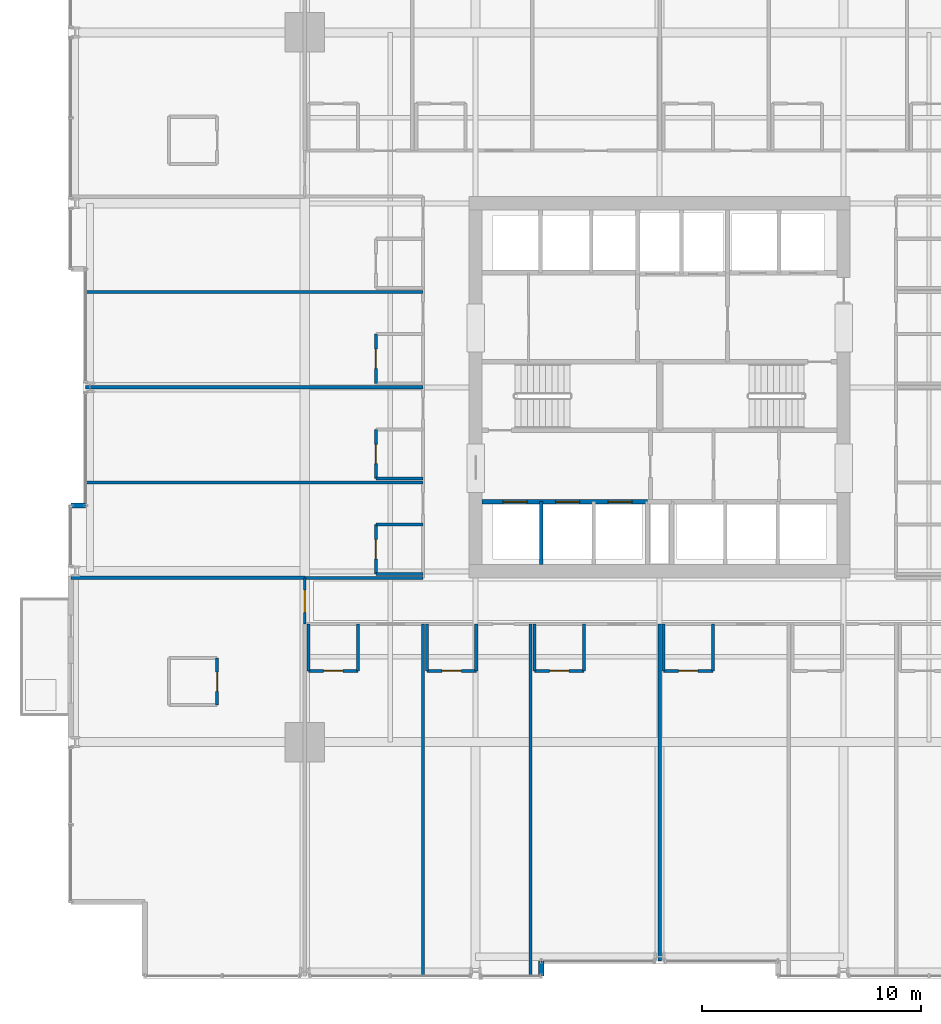
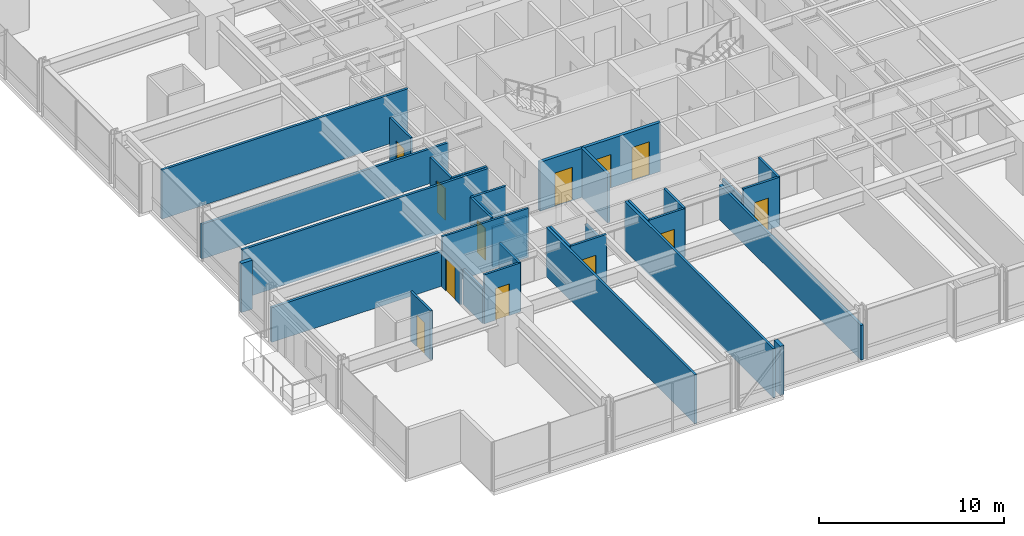
# One storey, part 31 of 42: 32 walls, 12 doors, 12 openings.
"""IFC4 building model written with IfcOpenShell, lengths in metres."""

from ifc_helpers import new_model, si_unit, direction, frame, frame_2d, origin, place, context, subcontext, project, spatial, rectangle, extrude, material, layer, layer_set, type_object, element, fill, save


model = new_model("IFC4")

# Units and contexts
model_context = context("Model", 3, precision=1e-05, world=origin(), true_north=direction((0.0, 1.0)))
body_context = subcontext(model_context, "Body", "Model", "MODEL_VIEW")
ifc_project = project(units=[si_unit("LENGTHUNIT", "METRE"), si_unit("AREAUNIT", "SQUARE_METRE"), si_unit("VOLUMEUNIT", "CUBIC_METRE"), si_unit("PLANEANGLEUNIT", "RADIAN"), si_unit("MASSUNIT", "GRAM", prefix="KILO")], contexts=[model_context])

# Site, building, storey
site_placement = place(None, origin())
site = spatial("IfcSite", under=ifc_project, at=site_placement, CompositionType="ELEMENT")
building_placement = place(site_placement, origin())
building = spatial("IfcBuilding", under=site, at=building_placement, Name="Drelvath Grand Hotel", CompositionType="ELEMENT")
storey_placement = place(building_placement, frame((0.0, 0.0, 33.199951171875)))
storey = spatial("IfcBuildingStorey", under=building, at=storey_placement, Name="L06", CompositionType="ELEMENT", Elevation=33.199951171875)

# Wall, openings, doors
ifc_material_1 = material(Name="Concrete C40/50", Category="concrete")
ifc_layer_1 = layer(ifc_material_1, 0.199951171875)
ifc_layer_set_1 = layer_set([ifc_layer_1], Name="Concrete C40/50")
wall_type_1 = type_object("IfcWallType", Name="Core Hoistway Fire Wall 200", PredefinedType="SOLIDWALL", material=ifc_layer_set_1)
wall_1_placement = place(storey_placement, frame((-0.550048828125, 21.780029296875, 0.0), z_axis=(0.0, 0.0, 1.0), x_axis=(-1.0, 0.0, 0.0)))
wall_1 = element("IfcWall", 1, at=wall_1_placement, inside=storey, type_object=wall_type_1, Name="L06 Bank 1 Hoistway Wall", PredefinedType="SOLIDWALL", context=body_context, shape_type="SweptSolid", body=[
    extrude(rectangle(XDim=7.550048828125, YDim=0.199951171875, at=frame_2d((3.77490234375, 0.0))), origin(), (0.0, 0.0, 1.0), 3.239990234375),
])
opening_1_placement = place(wall_1_placement, frame((5.5, 0.0, 0.0)))
opening_1 = element("IfcOpeningElement", 2, at=opening_1_placement, cuts=wall_1, Name="Opening LD-PE-1", PredefinedType="OPENING", context=body_context, shape_type="SweptSolid", body=[
    extrude(rectangle(XDim=1.10009765625, YDim=2.199951171875, at=frame_2d((0.550048828125, 1.10009765625))), frame((0.0, 0.10986328125, 0.0), z_axis=(0.0, -1.0, 0.0), x_axis=(1.0, 0.0, 0.0)), (0.0, 0.0, 1.0), 0.219970703125),
])
opening_2_placement = place(wall_1_placement, frame((3.10009765625, 0.0, 0.0)))
opening_2 = element("IfcOpeningElement", 3, at=opening_2_placement, cuts=wall_1, Name="Opening LD-PE-2", PredefinedType="OPENING", context=body_context, shape_type="SweptSolid", body=[
    extrude(rectangle(XDim=1.10009765625, YDim=2.199951171875, at=frame_2d((0.550048828125, 1.10009765625))), frame((0.0, 0.10986328125, 0.0), z_axis=(0.0, -1.0, 0.0), x_axis=(1.0, 0.0, 0.0)), (0.0, 0.0, 1.0), 0.219970703125),
])
opening_3_placement = place(wall_1_placement, frame((0.699951171875, 0.0, 0.0)))
opening_3 = element("IfcOpeningElement", 4, at=opening_3_placement, cuts=wall_1, Name="Opening LD-PE-3", PredefinedType="OPENING", context=body_context, shape_type="SweptSolid", body=[
    extrude(rectangle(XDim=1.10009765625, YDim=2.199951171875, at=frame_2d((0.550048828125, 1.10009765625))), frame((0.0, 0.10986328125, 0.0), z_axis=(0.0, -1.0, 0.0), x_axis=(1.0, 0.0, 0.0)), (0.0, 0.0, 1.0), 0.219970703125),
])
ifc_material_2 = material(Name="Stainless Steel S355", Category="steel")
door_type_1 = type_object("IfcDoorType", Name="Passenger Lift Sliding Landing Door 1100x2200", OperationType="NOTDEFINED", PredefinedType="DOOR", material=ifc_material_2)
door_1_placement = place(opening_1_placement, origin())
door_1 = element("IfcDoor", 5, at=door_1_placement, inside=storey, type_object=door_type_1, Name="L06 Lift PE-1 Landing Door", OperationType="SLIDING_TO_LEFT", OverallHeight=2.199951171875, OverallWidth=1.10009765625, PredefinedType="DOOR", context=body_context, shape_type="SweptSolid", body=[
    extrude(rectangle(XDim=1.10009765625, YDim=2.199951171875, at=frame_2d((0.550048828125, 1.10009765625))), frame((0.0, 0.02490234375, 0.0), z_axis=(0.0, -1.0, 0.0), x_axis=(1.0, 0.0, 0.0)), (0.0, 0.0, 1.0), 0.050048828125),
])
fill(opening_1, door_1)
door_2_placement = place(opening_2_placement, origin())
door_2 = element("IfcDoor", 6, at=door_2_placement, inside=storey, type_object=door_type_1, Name="L06 Lift PE-2 Landing Door", OperationType="SLIDING_TO_LEFT", OverallHeight=2.199951171875, OverallWidth=1.10009765625, PredefinedType="DOOR", context=body_context, shape_type="SweptSolid", body=[
    extrude(rectangle(XDim=1.10009765625, YDim=2.199951171875, at=frame_2d((0.550048828125, 1.10009765625))), frame((0.0, 0.02490234375, 0.0), z_axis=(0.0, -1.0, 0.0), x_axis=(1.0, 0.0, 0.0)), (0.0, 0.0, 1.0), 0.050048828125),
])
fill(opening_2, door_2)
door_3_placement = place(opening_3_placement, origin())
door_3 = element("IfcDoor", 7, at=door_3_placement, inside=storey, type_object=door_type_1, Name="L06 Lift PE-3 Landing Door", OperationType="SLIDING_TO_LEFT", OverallHeight=2.199951171875, OverallWidth=1.10009765625, PredefinedType="DOOR", context=body_context, shape_type="SweptSolid", body=[
    extrude(rectangle(XDim=1.10009765625, YDim=2.199951171875, at=frame_2d((0.550048828125, 1.10009765625))), frame((0.0, 0.02490234375, 0.0), z_axis=(0.0, -1.0, 0.0), x_axis=(1.0, 0.0, 0.0)), (0.0, 0.0, 1.0), 0.050048828125),
])
fill(opening_3, door_3)

# Walls
ifc_material_3 = material(Name="Gypsum Fireboard Partition")
ifc_layer_2 = layer(ifc_material_3, 0.1650390625)
ifc_layer_set_2 = layer_set([ifc_layer_2], Name="Gypsum Fireboard Partition")
wall_type_2 = type_object("IfcWallType", Name="Core Shaft Partition 165", PredefinedType="PARTITIONING", material=ifc_layer_set_2)
wall_2_placement = place(storey_placement, frame((-5.39990234375, 18.89990234375, 0.0), z_axis=(0.0, 0.0, 1.0), x_axis=(0.0, 1.0, 0.0)))
element("IfcWall", 8, at=wall_2_placement, inside=storey, type_object=wall_type_2, Name="L06 Lift PE-1/2 Divider", PredefinedType="PARTITIONING", context=body_context, shape_type="SweptSolid", body=[
    extrude(rectangle(XDim=2.880126953125, YDim=0.1650390625, at=frame_2d((1.43994140625, 0.0))), origin(), (0.0, 0.0, 1.0), 3.239990234375),
])
ifc_layer_3 = layer(ifc_material_3, 0.135009765625)
ifc_layer_set_3 = layer_set([ifc_layer_3], Name="Gypsum Fireboard Partition")
wall_type_3 = type_object("IfcWallType", Name="Corridor Fire Barrier Wall 135", PredefinedType="PARTITIONING", material=ifc_layer_set_3)
wall_3_placement = place(storey_placement, frame((-16.199951171875, 18.300048828125, 0.0), z_axis=(0.0, 0.0, 1.0), x_axis=(1.0, 0.0, 0.0)))
element("IfcWall", 9, at=wall_3_placement, inside=storey, type_object=wall_type_3, Name="L06 SW Spur Inner Wall", PredefinedType="PARTITIONING", context=body_context, shape_type="SweptSolid", body=[
    extrude(rectangle(XDim=5.39990234375, YDim=0.135009765625, at=frame_2d((2.699951171875, 0.0))), origin(), (0.0, 0.0, 1.0), 3.239990234375),
])

# Wall, opening, door
wall_4_placement = place(storey_placement, frame((-16.199951171875, 16.199951171875, 0.0), z_axis=(0.0, 0.0, 1.0), x_axis=(0.0, 1.0, 0.0)))
wall_4 = element("IfcWall", 10, at=wall_4_placement, inside=storey, type_object=wall_type_3, Name="L06 South Corridor West End", PredefinedType="PARTITIONING", context=body_context, shape_type="SweptSolid", body=[
    extrude(rectangle(XDim=2.10009765625, YDim=0.135009765625, at=frame_2d((1.050048828125, 0.0))), origin(), (0.0, 0.0, 1.0), 2.29833984375),
])
opening_4_placement = place(wall_4_placement, frame((0.52001953125, 0.0, 0.0)))
opening_4 = element("IfcOpeningElement", 11, at=opening_4_placement, cuts=wall_4, Name="Opening D-T1G1-019", PredefinedType="OPENING", context=body_context, shape_type="SweptSolid", body=[
    extrude(rectangle(XDim=1.02001953125, YDim=2.14990234375, at=frame_2d((0.510009765625, 1.074951171875))), frame((0.0, 0.077392578125, 0.0), z_axis=(0.0, -1.0, 0.0), x_axis=(1.0, 0.0, 0.0)), (0.0, 0.0, 1.0), 0.155029296875),
])
ifc_material_4 = material(Name="Hardwood Walnut Timber", Category="wood")
door_type_2 = type_object("IfcDoorType", Name="Amenity Meeting Fire Door 1020x2150", OperationType="NOTDEFINED", PredefinedType="DOOR", material=ifc_material_4)
door_4_placement = place(opening_4_placement, origin())
door_4 = element("IfcDoor", 12, at=door_4_placement, inside=storey, type_object=door_type_2, Name="L06 Corner Suite Entry Door", OperationType="SINGLE_SWING_RIGHT", OverallHeight=2.14990234375, OverallWidth=1.02001953125, PredefinedType="DOOR", context=body_context, shape_type="SweptSolid", body=[
    extrude(rectangle(XDim=1.02001953125, YDim=2.14990234375, at=frame_2d((0.510009765625, 1.074951171875))), frame((0.0, 0.02490234375, 0.0), z_axis=(0.0, -1.0, 0.0), x_axis=(1.0, 0.0, 0.0)), (0.0, 0.0, 1.0), 0.050048828125),
])
fill(opening_4, door_4)

ifc_material_5 = material(Name="Moisture-Resistant Gypsum Board")
ifc_layer_4 = layer(ifc_material_5, 0.139892578125)
ifc_layer_set_4 = layer_set([ifc_layer_4], Name="Moisture-Resistant Gypsum Board")
wall_type_4 = type_object("IfcWallType", Name="En-Suite Plumbing Wall 140", PredefinedType="PLUMBINGWALL", material=ifc_layer_set_4)
wall_5_placement = place(storey_placement, frame((-20.199951171875, 12.5, 0.0), z_axis=(0.0, 0.0, 1.0), x_axis=(0.0, 1.0, 0.0)))
wall_5 = element("IfcWall", 13, at=wall_5_placement, inside=storey, type_object=wall_type_4, Name="L06 Corner En-Suite East", PredefinedType="PLUMBINGWALL", context=body_context, shape_type="SweptSolid", body=[
    extrude(rectangle(XDim=2.14990234375, YDim=0.139892578125, at=frame_2d((1.074951171875, 0.0))), origin(), (0.0, 0.0, 1.0), 3.239990234375),
])
opening_5_placement = place(wall_5_placement, frame((0.6201171875, 0.0, 0.0)))
opening_5 = element("IfcOpeningElement", 14, at=opening_5_placement, cuts=wall_5, Name="Opening D-T1G1-018", PredefinedType="OPENING", context=body_context, shape_type="SweptSolid", body=[
    extrude(rectangle(XDim=0.8798828125, YDim=2.10009765625, at=frame_2d((0.43994140625, 1.050048828125))), frame((0.0, 0.079833984375, 0.0), z_axis=(0.0, -1.0, 0.0), x_axis=(1.0, 0.0, 0.0)), (0.0, 0.0, 1.0), 0.159912109375),
])
door_type_3 = type_object("IfcDoorType", Name="En-Suite Bathroom Door 880x2100", OperationType="NOTDEFINED", PredefinedType="DOOR", material=ifc_material_4)
door_5_placement = place(opening_5_placement, origin())
door_5 = element("IfcDoor", 15, at=door_5_placement, inside=storey, type_object=door_type_3, Name="L06 Corner En-Suite Door", OperationType="SINGLE_SWING_LEFT", OverallHeight=2.10009765625, OverallWidth=0.8798828125, PredefinedType="DOOR", context=body_context, shape_type="SweptSolid", body=[
    extrude(rectangle(XDim=0.8798828125, YDim=2.10009765625, at=frame_2d((0.43994140625, 1.050048828125))), frame((0.0, 0.02490234375, 0.0), z_axis=(0.0, -1.0, 0.0), x_axis=(1.0, 0.0, 0.0)), (0.0, 0.0, 1.0), 0.050048828125),
])
fill(opening_5, door_5)

# Walls
wall_6_placement = place(storey_placement, frame((-16.02001953125, 16.199951171875, 0.0), z_axis=(0.0, 0.0, 1.0), x_axis=(0.0, -1.0, 0.0)))
element("IfcWall", 16, at=wall_6_placement, inside=storey, type_object=wall_type_4, Name="L06 En-Suite Left Wall", PredefinedType="PLUMBINGWALL", context=body_context, shape_type="SweptSolid", body=[
    extrude(rectangle(XDim=2.14990234375, YDim=0.139892578125, at=frame_2d((1.074951171875, 0.0))), origin(), (0.0, 0.0, 1.0), 2.29833984375),
])
wall_7_placement = place(storey_placement, frame((-13.77001953125, 16.199951171875, 0.0), z_axis=(0.0, 0.0, 1.0), x_axis=(0.0, -1.0, 0.0)))
element("IfcWall", 17, at=wall_7_placement, inside=storey, type_object=wall_type_4, Name="L06 En-Suite Right Wall", PredefinedType="PLUMBINGWALL", context=body_context, shape_type="SweptSolid", body=[
    extrude(rectangle(XDim=2.14990234375, YDim=0.139892578125, at=frame_2d((1.074951171875, 0.0))), origin(), (0.0, 0.0, 1.0), 3.239990234375),
])

# Wall, opening, door
wall_8_placement = place(storey_placement, frame((-16.02001953125, 14.050048828125, 0.0), z_axis=(0.0, 0.0, 1.0), x_axis=(1.0, 0.0, 0.0)))
wall_8 = element("IfcWall", 18, at=wall_8_placement, inside=storey, type_object=wall_type_4, Name="L06 En-Suite Front Wall", PredefinedType="PLUMBINGWALL", context=body_context, shape_type="SweptSolid", body=[
    extrude(rectangle(XDim=2.25, YDim=0.139892578125, at=frame_2d((1.125, 0.0))), origin(), (0.0, 0.0, 1.0), 3.239990234375),
])
opening_6_placement = place(wall_8_placement, frame((0.68505859375, 0.0, 0.0)))
opening_6 = element("IfcOpeningElement", 19, at=opening_6_placement, cuts=wall_8, Name="Opening D-T1G1-026", PredefinedType="OPENING", context=body_context, shape_type="SweptSolid", body=[
    extrude(rectangle(XDim=0.8798828125, YDim=2.10009765625, at=frame_2d((0.43994140625, 1.050048828125))), frame((0.0, 0.079833984375, 0.0), z_axis=(0.0, -1.0, 0.0), x_axis=(1.0, 0.0, 0.0)), (0.0, 0.0, 1.0), 0.159912109375),
])
door_6_placement = place(opening_6_placement, origin())
door_6 = element("IfcDoor", 20, at=door_6_placement, inside=storey, type_object=door_type_3, Name="L06 En-Suite Bathroom Door", OperationType="SINGLE_SWING_LEFT", OverallHeight=2.10009765625, OverallWidth=0.8798828125, PredefinedType="DOOR", context=body_context, shape_type="SweptSolid", body=[
    extrude(rectangle(XDim=0.8798828125, YDim=2.10009765625, at=frame_2d((0.43994140625, 1.050048828125))), frame((0.0, 0.02490234375, 0.0), z_axis=(0.0, -1.0, 0.0), x_axis=(1.0, 0.0, 0.0)), (0.0, 0.0, 1.0), 0.050048828125),
])
fill(opening_6, door_6)

# Walls
wall_9_placement = place(storey_placement, frame((-10.6201171875, 16.199951171875, 0.0), z_axis=(0.0, 0.0, 1.0), x_axis=(0.0, -1.0, 0.0)))
element("IfcWall", 21, at=wall_9_placement, inside=storey, type_object=wall_type_4, Name="L06 En-Suite Left Wall", PredefinedType="PLUMBINGWALL", context=body_context, shape_type="SweptSolid", body=[
    extrude(rectangle(XDim=2.14990234375, YDim=0.139892578125, at=frame_2d((1.074951171875, 0.0))), origin(), (0.0, 0.0, 1.0), 3.239990234375),
])
wall_10_placement = place(storey_placement, frame((-8.3701171875, 16.199951171875, 0.0), z_axis=(0.0, 0.0, 1.0), x_axis=(0.0, -1.0, 0.0)))
element("IfcWall", 22, at=wall_10_placement, inside=storey, type_object=wall_type_4, Name="L06 En-Suite Right Wall", PredefinedType="PLUMBINGWALL", context=body_context, shape_type="SweptSolid", body=[
    extrude(rectangle(XDim=2.14990234375, YDim=0.139892578125, at=frame_2d((1.074951171875, 0.0))), origin(), (0.0, 0.0, 1.0), 2.617431640625),
])

# Wall, opening, door
wall_11_placement = place(storey_placement, frame((-10.6201171875, 14.050048828125, 0.0), z_axis=(0.0, 0.0, 1.0), x_axis=(1.0, 0.0, 0.0)))
wall_11 = element("IfcWall", 23, at=wall_11_placement, inside=storey, type_object=wall_type_4, Name="L06 En-Suite Front Wall", PredefinedType="PLUMBINGWALL", context=body_context, shape_type="SweptSolid", body=[
    extrude(rectangle(XDim=2.25, YDim=0.139892578125, at=frame_2d((1.125, 0.0))), origin(), (0.0, 0.0, 1.0), 3.239990234375),
])
opening_7_placement = place(wall_11_placement, frame((0.68505859375, 0.0, 0.0)))
opening_7 = element("IfcOpeningElement", 24, at=opening_7_placement, cuts=wall_11, Name="Opening D-T1G1-028", PredefinedType="OPENING", context=body_context, shape_type="SweptSolid", body=[
    extrude(rectangle(XDim=0.8798828125, YDim=2.10009765625, at=frame_2d((0.43994140625, 1.050048828125))), frame((0.0, 0.079833984375, 0.0), z_axis=(0.0, -1.0, 0.0), x_axis=(1.0, 0.0, 0.0)), (0.0, 0.0, 1.0), 0.159912109375),
])
door_7_placement = place(opening_7_placement, origin())
door_7 = element("IfcDoor", 25, at=door_7_placement, inside=storey, type_object=door_type_3, Name="L06 En-Suite Bathroom Door", OperationType="SINGLE_SWING_LEFT", OverallHeight=2.10009765625, OverallWidth=0.8798828125, PredefinedType="DOOR", context=body_context, shape_type="SweptSolid", body=[
    extrude(rectangle(XDim=0.8798828125, YDim=2.10009765625, at=frame_2d((0.43994140625, 1.050048828125))), frame((0.0, 0.02490234375, 0.0), z_axis=(0.0, -1.0, 0.0), x_axis=(1.0, 0.0, 0.0)), (0.0, 0.0, 1.0), 0.050048828125),
])
fill(opening_7, door_7)

# Walls
for number, where, z_axis, x_axis, name in (
    (26, (-5.7109375, 16.199951171875, 0.0), (0.0, 0.0, 1.0), (0.0, -1.0, 0.0), "L06 En-Suite Left Wall"),
    (27, (-3.4609375, 16.199951171875, 0.0), (0.0, 0.0, 1.0), (0.0, -1.0, 0.0), "L06 En-Suite Right Wall"),
):
    element("IfcWall", number, at=place(storey_placement, frame(where, z_axis=z_axis, x_axis=x_axis)), inside=storey, type_object=wall_type_4, Name=name, PredefinedType="PLUMBINGWALL", context=body_context, shape_type="SweptSolid", body=[
        extrude(rectangle(XDim=2.14990234375, YDim=0.139892578125, at=frame_2d((1.074951171875, 0.0))), origin(), (0.0, 0.0, 1.0), 3.239990234375),
    ])

# Wall, opening, door
wall_12_placement = place(storey_placement, frame((-5.7109375, 14.050048828125, 0.0), z_axis=(0.0, 0.0, 1.0), x_axis=(1.0, 0.0, 0.0)))
wall_12 = element("IfcWall", 28, at=wall_12_placement, inside=storey, type_object=wall_type_4, Name="L06 En-Suite Front Wall", PredefinedType="PLUMBINGWALL", context=body_context, shape_type="SweptSolid", body=[
    extrude(rectangle(XDim=2.25, YDim=0.139892578125, at=frame_2d((1.125, 0.0))), origin(), (0.0, 0.0, 1.0), 3.239990234375),
])
opening_8_placement = place(wall_12_placement, frame((0.68505859375, 0.0, 0.0)))
opening_8 = element("IfcOpeningElement", 29, at=opening_8_placement, cuts=wall_12, Name="Opening D-T1G1-030", PredefinedType="OPENING", context=body_context, shape_type="SweptSolid", body=[
    extrude(rectangle(XDim=0.8798828125, YDim=2.10009765625, at=frame_2d((0.43994140625, 1.050048828125))), frame((0.0, 0.079833984375, 0.0), z_axis=(0.0, -1.0, 0.0), x_axis=(1.0, 0.0, 0.0)), (0.0, 0.0, 1.0), 0.159912109375),
])
door_8_placement = place(opening_8_placement, origin())
door_8 = element("IfcDoor", 30, at=door_8_placement, inside=storey, type_object=door_type_3, Name="L06 En-Suite Bathroom Door", OperationType="SINGLE_SWING_LEFT", OverallHeight=2.10009765625, OverallWidth=0.8798828125, PredefinedType="DOOR", context=body_context, shape_type="SweptSolid", body=[
    extrude(rectangle(XDim=0.8798828125, YDim=2.10009765625, at=frame_2d((0.43994140625, 1.050048828125))), frame((0.0, 0.02490234375, 0.0), z_axis=(0.0, -1.0, 0.0), x_axis=(1.0, 0.0, 0.0)), (0.0, 0.0, 1.0), 0.050048828125),
])
fill(opening_8, door_8)

# Walls
wall_13_placement = place(storey_placement, frame((0.179931640625, 16.199951171875, 0.0), z_axis=(0.0, 0.0, 1.0), x_axis=(0.0, -1.0, 0.0)))
element("IfcWall", 31, at=wall_13_placement, inside=storey, type_object=wall_type_4, Name="L06 En-Suite Left Wall", PredefinedType="PLUMBINGWALL", context=body_context, shape_type="SweptSolid", body=[
    extrude(rectangle(XDim=2.14990234375, YDim=0.139892578125, at=frame_2d((1.074951171875, 0.0))), origin(), (0.0, 0.0, 1.0), 2.617431640625),
])
wall_14_placement = place(storey_placement, frame((2.429931640625, 16.199951171875, 0.0), z_axis=(0.0, 0.0, 1.0), x_axis=(0.0, -1.0, 0.0)))
element("IfcWall", 32, at=wall_14_placement, inside=storey, type_object=wall_type_4, Name="L06 En-Suite Right Wall", PredefinedType="PLUMBINGWALL", context=body_context, shape_type="SweptSolid", body=[
    extrude(rectangle(XDim=2.14990234375, YDim=0.139892578125, at=frame_2d((1.074951171875, 0.0))), origin(), (0.0, 0.0, 1.0), 3.239990234375),
])

# Wall, opening, door
wall_15_placement = place(storey_placement, frame((0.179931640625, 14.050048828125, 0.0), z_axis=(0.0, 0.0, 1.0), x_axis=(1.0, 0.0, 0.0)))
wall_15 = element("IfcWall", 33, at=wall_15_placement, inside=storey, type_object=wall_type_4, Name="L06 En-Suite Front Wall", PredefinedType="PLUMBINGWALL", context=body_context, shape_type="SweptSolid", body=[
    extrude(rectangle(XDim=2.25, YDim=0.139892578125, at=frame_2d((1.125, 0.0))), origin(), (0.0, 0.0, 1.0), 3.239990234375),
])
opening_9_placement = place(wall_15_placement, frame((0.68505859375, 0.0, 0.0)))
opening_9 = element("IfcOpeningElement", 34, at=opening_9_placement, cuts=wall_15, Name="Opening D-T1G1-032", PredefinedType="OPENING", context=body_context, shape_type="SweptSolid", body=[
    extrude(rectangle(XDim=0.8798828125, YDim=2.10009765625, at=frame_2d((0.43994140625, 1.050048828125))), frame((0.0, 0.079833984375, 0.0), z_axis=(0.0, -1.0, 0.0), x_axis=(1.0, 0.0, 0.0)), (0.0, 0.0, 1.0), 0.159912109375),
])
door_9_placement = place(opening_9_placement, origin())
door_9 = element("IfcDoor", 35, at=door_9_placement, inside=storey, type_object=door_type_3, Name="L06 En-Suite Bathroom Door", OperationType="SINGLE_SWING_LEFT", OverallHeight=2.10009765625, OverallWidth=0.8798828125, PredefinedType="DOOR", context=body_context, shape_type="SweptSolid", body=[
    extrude(rectangle(XDim=0.8798828125, YDim=2.10009765625, at=frame_2d((0.43994140625, 1.050048828125))), frame((0.0, 0.02490234375, 0.0), z_axis=(0.0, -1.0, 0.0), x_axis=(1.0, 0.0, 0.0)), (0.0, 0.0, 1.0), 0.050048828125),
])
fill(opening_9, door_9)

# Walls
wall_16_placement = place(storey_placement, frame((-10.800048828125, 18.47998046875, 0.0), z_axis=(0.0, 0.0, 1.0), x_axis=(-1.0, 0.0, 0.0)))
element("IfcWall", 36, at=wall_16_placement, inside=storey, type_object=wall_type_4, Name="L06 En-Suite Left Wall", PredefinedType="PLUMBINGWALL", context=body_context, shape_type="SweptSolid", body=[
    extrude(rectangle(XDim=2.14990234375, YDim=0.139892578125, at=frame_2d((1.074951171875, 0.0))), origin(), (0.0, 0.0, 1.0), 2.617431640625),
])
wall_17_placement = place(storey_placement, frame((-10.800048828125, 20.72998046875, 0.0), z_axis=(0.0, 0.0, 1.0), x_axis=(-1.0, 0.0, 0.0)))
element("IfcWall", 37, at=wall_17_placement, inside=storey, type_object=wall_type_4, Name="L06 En-Suite Right Wall", PredefinedType="PLUMBINGWALL", context=body_context, shape_type="SweptSolid", body=[
    extrude(rectangle(XDim=2.14990234375, YDim=0.139892578125, at=frame_2d((1.074951171875, 0.0))), origin(), (0.0, 0.0, 1.0), 3.239990234375),
])

# Wall, opening, door
wall_18_placement = place(storey_placement, frame((-12.949951171875, 18.47998046875, 0.0), z_axis=(0.0, 0.0, 1.0), x_axis=(0.0, 1.0, 0.0)))
wall_18 = element("IfcWall", 38, at=wall_18_placement, inside=storey, type_object=wall_type_4, Name="L06 En-Suite Front Wall", PredefinedType="PLUMBINGWALL", context=body_context, shape_type="SweptSolid", body=[
    extrude(rectangle(XDim=2.25, YDim=0.139892578125, at=frame_2d((1.125, 0.0))), origin(), (0.0, 0.0, 1.0), 3.239990234375),
])
opening_10_placement = place(wall_18_placement, frame((0.68505859375, 0.0, 0.0)))
opening_10 = element("IfcOpeningElement", 39, at=opening_10_placement, cuts=wall_18, Name="Opening D-T1G1-049", PredefinedType="OPENING", context=body_context, shape_type="SweptSolid", body=[
    extrude(rectangle(XDim=0.8798828125, YDim=2.10009765625, at=frame_2d((0.43994140625, 1.050048828125))), frame((0.0, 0.079833984375, 0.0), z_axis=(0.0, -1.0, 0.0), x_axis=(1.0, 0.0, 0.0)), (0.0, 0.0, 1.0), 0.159912109375),
])
door_10_placement = place(opening_10_placement, origin())
door_10 = element("IfcDoor", 40, at=door_10_placement, inside=storey, type_object=door_type_3, Name="L06 En-Suite Bathroom Door", OperationType="SINGLE_SWING_RIGHT", OverallHeight=2.10009765625, OverallWidth=0.8798828125, PredefinedType="DOOR", context=body_context, shape_type="SweptSolid", body=[
    extrude(rectangle(XDim=0.8798828125, YDim=2.10009765625, at=frame_2d((0.43994140625, 1.050048828125))), frame((0.0, 0.02490234375, 0.0), z_axis=(0.0, -1.0, 0.0), x_axis=(1.0, 0.0, 0.0)), (0.0, 0.0, 1.0), 0.050048828125),
])
fill(opening_10, door_10)

# Wall
wall_19_placement = place(storey_placement, frame((-10.800048828125, 22.830078125, 0.0), z_axis=(0.0, 0.0, 1.0), x_axis=(-1.0, 0.0, 0.0)))
element("IfcWall", 41, at=wall_19_placement, inside=storey, type_object=wall_type_4, Name="L06 En-Suite Left Wall", PredefinedType="PLUMBINGWALL", context=body_context, shape_type="SweptSolid", body=[
    extrude(rectangle(XDim=2.14990234375, YDim=0.139892578125, at=frame_2d((1.074951171875, 0.0))), origin(), (0.0, 0.0, 1.0), 3.239990234375),
])

# Wall, opening, door
wall_20_placement = place(storey_placement, frame((-12.949951171875, 22.830078125, 0.0), z_axis=(0.0, 0.0, 1.0), x_axis=(0.0, 1.0, 0.0)))
wall_20 = element("IfcWall", 42, at=wall_20_placement, inside=storey, type_object=wall_type_4, Name="L06 En-Suite Front Wall", PredefinedType="PLUMBINGWALL", context=body_context, shape_type="SweptSolid", body=[
    extrude(rectangle(XDim=2.25, YDim=0.139892578125, at=frame_2d((1.125, 0.0))), origin(), (0.0, 0.0, 1.0), 3.239990234375),
])
opening_11_placement = place(wall_20_placement, frame((0.68505859375, 0.0, 0.0)))
opening_11 = element("IfcOpeningElement", 43, at=opening_11_placement, cuts=wall_20, Name="Opening D-T1G1-051", PredefinedType="OPENING", context=body_context, shape_type="SweptSolid", body=[
    extrude(rectangle(XDim=0.8798828125, YDim=2.10009765625, at=frame_2d((0.43994140625, 1.050048828125))), frame((0.0, 0.079833984375, 0.0), z_axis=(0.0, -1.0, 0.0), x_axis=(1.0, 0.0, 0.0)), (0.0, 0.0, 1.0), 0.159912109375),
])
door_11_placement = place(opening_11_placement, origin())
door_11 = element("IfcDoor", 44, at=door_11_placement, inside=storey, type_object=door_type_3, Name="L06 En-Suite Bathroom Door", OperationType="SINGLE_SWING_RIGHT", OverallHeight=2.10009765625, OverallWidth=0.8798828125, PredefinedType="DOOR", context=body_context, shape_type="SweptSolid", body=[
    extrude(rectangle(XDim=0.8798828125, YDim=2.10009765625, at=frame_2d((0.43994140625, 1.050048828125))), frame((0.0, 0.02490234375, 0.0), z_axis=(0.0, -1.0, 0.0), x_axis=(1.0, 0.0, 0.0)), (0.0, 0.0, 1.0), 0.050048828125),
])
fill(opening_11, door_11)

wall_21_placement = place(storey_placement, frame((-12.949951171875, 27.179931640625, 0.0), z_axis=(0.0, 0.0, 1.0), x_axis=(0.0, 1.0, 0.0)))
wall_21 = element("IfcWall", 45, at=wall_21_placement, inside=storey, type_object=wall_type_4, Name="L06 En-Suite Front Wall", PredefinedType="PLUMBINGWALL", context=body_context, shape_type="SweptSolid", body=[
    extrude(rectangle(XDim=2.25, YDim=0.139892578125, at=frame_2d((1.125, 0.0))), origin(), (0.0, 0.0, 1.0), 3.239990234375),
])
opening_12_placement = place(wall_21_placement, frame((0.68505859375, 0.0, 0.0)))
opening_12 = element("IfcOpeningElement", 46, at=opening_12_placement, cuts=wall_21, Name="Opening D-T1G1-053", PredefinedType="OPENING", context=body_context, shape_type="SweptSolid", body=[
    extrude(rectangle(XDim=0.8798828125, YDim=2.10009765625, at=frame_2d((0.43994140625, 1.050048828125))), frame((0.0, 0.079833984375, 0.0), z_axis=(0.0, -1.0, 0.0), x_axis=(1.0, 0.0, 0.0)), (0.0, 0.0, 1.0), 0.159912109375),
])
door_12_placement = place(opening_12_placement, origin())
door_12 = element("IfcDoor", 47, at=door_12_placement, inside=storey, type_object=door_type_3, Name="L06 En-Suite Bathroom Door", OperationType="SINGLE_SWING_RIGHT", OverallHeight=2.10009765625, OverallWidth=0.8798828125, PredefinedType="DOOR", context=body_context, shape_type="SweptSolid", body=[
    extrude(rectangle(XDim=0.8798828125, YDim=2.10009765625, at=frame_2d((0.43994140625, 1.050048828125))), frame((0.0, 0.02490234375, 0.0), z_axis=(0.0, -1.0, 0.0), x_axis=(1.0, 0.0, 0.0)), (0.0, 0.0, 1.0), 0.050048828125),
])
fill(opening_12, door_12)

# Walls
ifc_material_6 = material(Name="Gypsum Acoustic Partition")
ifc_layer_5 = layer(ifc_material_6, 0.14990234375)
ifc_layer_set_5 = layer_set([ifc_layer_5], Name="Gypsum Acoustic Partition")
wall_type_5 = type_object("IfcWallType", Name="Guestroom Demising Wall 150", PredefinedType="PARTITIONING", material=ifc_layer_set_5)
for number, where, z_axis, x_axis, name in (
    (48, (-10.800048828125, 0.1201171875, 0.0), (0.0, 0.0, 1.0), (0.0, 1.0, 0.0), "L06 South Demising 1"),
    (49, (-5.890869140625, 0.1201171875, 0.0), (0.0, 0.0, 1.0), (0.0, 1.0, 0.0), "L06 South Demising 2"),
):
    element("IfcWall", number, at=place(storey_placement, frame(where, z_axis=z_axis, x_axis=x_axis)), inside=storey, type_object=wall_type_5, Name=name, PredefinedType="PARTITIONING", context=body_context, shape_type="SweptSolid", body=[
        extrude(rectangle(XDim=16.079833984375, YDim=0.14990234375, at=frame_2d((8.0400390625, 0.0))), origin(), (0.0, 0.0, 1.0), 3.239990234375),
    ])
wall_22_placement = place(storey_placement, frame((0.0, 0.800048828125, 0.0), z_axis=(0.0, 0.0, 1.0), x_axis=(0.0, 1.0, 0.0)))
element("IfcWall", 50, at=wall_22_placement, inside=storey, type_object=wall_type_5, Name="L06 South Demising 3", PredefinedType="PARTITIONING", context=body_context, shape_type="SweptSolid", body=[
    extrude(rectangle(XDim=15.39990234375, YDim=0.14990234375, at=frame_2d((7.699951171875, 0.0))), origin(), (0.0, 0.0, 1.0), 2.29833984375),
])
wall_23_placement = place(storey_placement, frame((-26.199951171875, 22.64990234375, 0.0), z_axis=(0.0, 0.0, 1.0), x_axis=(1.0, 0.0, 0.0)))
element("IfcWall", 51, at=wall_23_placement, inside=storey, type_object=wall_type_5, Name="L06 West Demising 1", PredefinedType="PARTITIONING", context=body_context, shape_type="SweptSolid", body=[
    extrude(rectangle(XDim=15.39990234375, YDim=0.14990234375, at=frame_2d((7.699951171875, 0.0))), origin(), (0.0, 0.0, 1.0), 3.239990234375),
])
wall_24_placement = place(storey_placement, frame((-26.199951171875, 27.0, 0.0), z_axis=(0.0, 0.0, 1.0), x_axis=(1.0, 0.0, 0.0)))
element("IfcWall", 52, at=wall_24_placement, inside=storey, type_object=wall_type_5, Name="L06 West Demising 2", PredefinedType="PARTITIONING", context=body_context, shape_type="SweptSolid", body=[
    extrude(rectangle(XDim=15.39990234375, YDim=0.14990234375, at=frame_2d((7.699951171875, 0.0))), origin(), (0.0, 0.0, 1.0), 2.29833984375),
])
wall_25_placement = place(storey_placement, frame((-26.199951171875, 31.35009765625, 0.0), z_axis=(0.0, 0.0, 1.0), x_axis=(1.0, 0.0, 0.0)))
element("IfcWall", 53, at=wall_25_placement, inside=storey, type_object=wall_type_5, Name="L06 West Demising 3", PredefinedType="PARTITIONING", context=body_context, shape_type="SweptSolid", body=[
    extrude(rectangle(XDim=15.39990234375, YDim=0.14990234375, at=frame_2d((7.699951171875, 0.0))), origin(), (0.0, 0.0, 1.0), 3.239990234375),
])
ifc_layer_6 = layer(ifc_material_6, 0.1650390625)
ifc_layer_set_6 = layer_set([ifc_layer_6], Name="Gypsum Acoustic Partition")
wall_type_6 = type_object("IfcWallType", Name="Suite Demising Wall 165", PredefinedType="PARTITIONING", material=ifc_layer_set_6)
wall_26_placement = place(storey_placement, frame((-26.8798828125, 18.300048828125, 0.0), z_axis=(0.0, 0.0, 1.0), x_axis=(1.0, 0.0, 0.0)))
element("IfcWall", 54, at=wall_26_placement, inside=storey, type_object=wall_type_6, Name="L06 SW Corner North Wall", PredefinedType="PARTITIONING", context=body_context, shape_type="SweptSolid", body=[
    extrude(rectangle(XDim=10.679931640625, YDim=0.1650390625, at=frame_2d((5.33984375, 0.0))), origin(), (0.0, 0.0, 1.0), 2.29833984375),
])
ifc_material_7 = material(Name="Pale-Metal Insulated Aluminium Spandrel Assembly", Category="aluminium")
ifc_layer_7 = layer(ifc_material_7, 0.239990234375)
ifc_layer_set_7 = layer_set([ifc_layer_7], Name="Pale-Metal Insulated Aluminium Spandrel Assembly")
wall_type_7 = type_object("IfcWallType", Name="Tower Insulated Metal Spandrel Closure Wall 240", PredefinedType="STANDARD", material=ifc_layer_set_7)
for number, where, z_axis, x_axis, name in (
    (55, (-26.8798828125, 21.60009765625, 0.0), (0.0, 0.0, 1.0), (1.0, 0.0, 0.0), "L06 Notched Corner Return Spandrel Wall RW1"),
    (56, (-5.39990234375, 0.800048828125, 0.0), (0.0, 0.0, 1.0), (0.0, -1.0, 0.0), "L06 Notched Corner Return Spandrel Wall RS2"),
):
    element("IfcWall", number, at=place(storey_placement, frame(where, z_axis=z_axis, x_axis=x_axis)), inside=storey, type_object=wall_type_7, Name=name, PredefinedType="STANDARD", context=body_context, shape_type="SweptSolid", body=[
        extrude(rectangle(XDim=0.679931640625, YDim=0.239990234375, at=frame_2d((0.33984375, 0.0))), origin(), (0.0, 0.0, 1.0), 3.239990234375),
    ])

save(model, "model.ifc")
